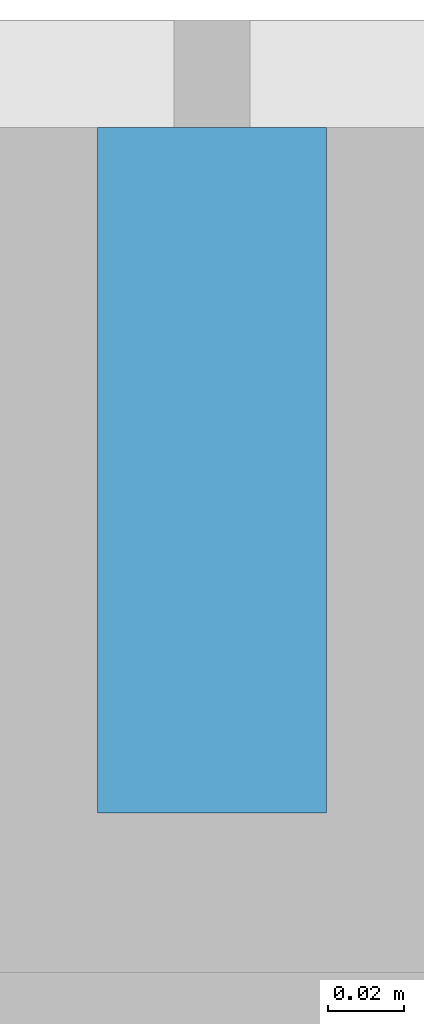
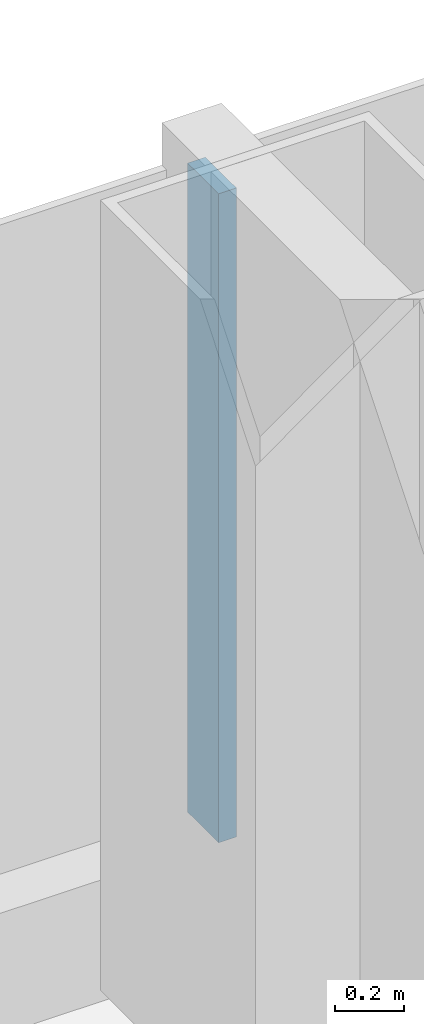
# One storey, part 7 of 29: 1 member, 1 element without a shape of its own.
"""IFC4 building model written with IfcOpenShell, lengths in metres."""

from ifc_helpers import new_model, si_unit, direction, frame, origin, origin_2d, place, context, subcontext, project, spatial, rectangle, extrude, material, layer, layer_set, material_profile, profile_set, type_object, element, aggregate, save


model = new_model("IFC4")

# Units and contexts
model_context = context("Model", 3, precision=1e-05, world=origin(), true_north=direction((0.0, 1.0)))
body_context = subcontext(model_context, "Body", "Model", "MODEL_VIEW")
ifc_project = project(units=[si_unit("LENGTHUNIT", "METRE"), si_unit("AREAUNIT", "SQUARE_METRE"), si_unit("VOLUMEUNIT", "CUBIC_METRE"), si_unit("PLANEANGLEUNIT", "RADIAN"), si_unit("MASSUNIT", "GRAM", prefix="KILO")], contexts=[model_context])

# Site, building, storey
site_placement = place(None, origin())
site = spatial("IfcSite", under=ifc_project, at=site_placement, CompositionType="ELEMENT")
building_placement = place(site_placement, origin())
building = spatial("IfcBuilding", under=site, at=building_placement, Name="Hakoniwa Tower and Hamabe Station Hall", CompositionType="ELEMENT")
storey_placement = place(building_placement, frame((0.0, 0.0, 55.0)))
storey = spatial("IfcBuildingStorey", under=building, at=storey_placement, Name="L15", CompositionType="ELEMENT", Elevation=55.0)

# Curtain wall, member
ifc_material_1 = material(Name="Dark low-e laminated glass", Category="glass")
ifc_layer = layer(ifc_material_1, 0.199951171875)
ifc_layer_set = layer_set([ifc_layer], Name="CW-1 UNITISED GUEST")
curtain_wall_type = type_object("IfcCurtainWallType", Name="CW-1 UNITISED GUEST", PredefinedType="NOTDEFINED", material=ifc_layer_set)
curtain_wall_placement = place(storey_placement, origin())
curtain_wall = element("IfcCurtainWall", 1, at=curtain_wall_placement, inside=storey, type_object=curtain_wall_type, Name="CW-1 curtain wall", PredefinedType="NOTDEFINED")
ifc_material_2 = material(Name="Aluminium 6063-T5 black anodised", Category="aluminium")
ifc_material_profile = material_profile(ifc_material_2, rectangle(XDim=0.06005859375, YDim=0.179931640625, at=origin_2d()), Name="CW-1 MULLION 60X180")
ifc_profile_set = profile_set([ifc_material_profile], Name="Aluminium 6063-T5 black anodised")
member_type = type_object("IfcMemberType", Name="CW-1 MULLION 60X180", PredefinedType="MULLION", material=ifc_profile_set)
member_placement = place(storey_placement, frame((0.0, 20.181884765625, 0.35009765625), z_axis=(0.0, 0.0, 1.0), x_axis=(-1.0, 0.0, 0.0)))
member = element("IfcMember", 2, at=member_placement, type_object=member_type, Name="CW-1 mullion", PredefinedType="MULLION", context=body_context, shape_type="SweptSolid", body=[
    extrude(rectangle(XDim=0.06005859375, YDim=0.179931640625, at=origin_2d()), origin(), (0.0, 0.0, 1.0), 2.2998046875),
])
aggregate(curtain_wall, [member])

save(model, "model.ifc")
